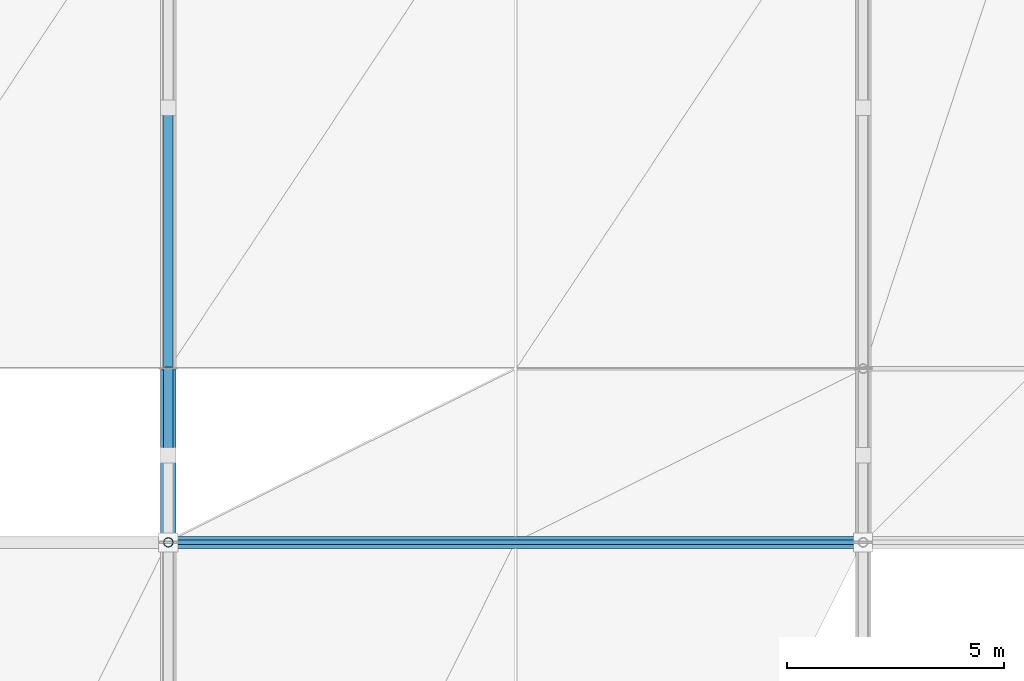
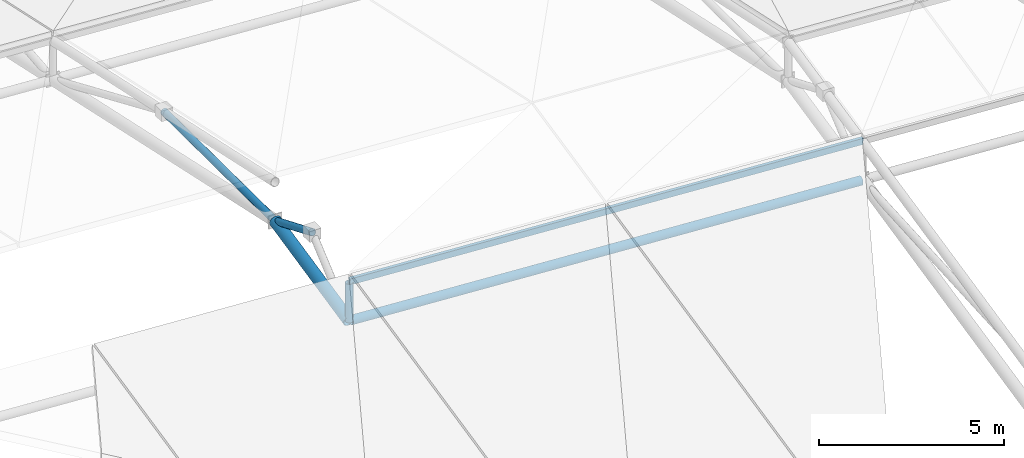
# One storey, part 29 of 67: 4 members, 2 beams.
"""IFC4 building model written with IfcOpenShell, lengths in metres."""

import ifcopenshell
import ifcopenshell.guid

model = None  # the IFC model being written
_history = None  # IfcOwnerHistory: only IFC2X3 demands one
_inside = {}  # id of a spatial element -> (the spatial element, [elements in it])
_under = {}  # id of a project, library or spatial element -> (it, [spatial elements below it])
_declared = {}  # id of a project -> (the project, [libraries it declares])
_typed = {}  # id of a type object -> (the type object, [elements of that type])
_made_of = {}  # id of a material, layer set ... -> (it, [elements and type objects made of it])


def new_model(schema):
    """Start an empty IFC model of exactly this schema.

    Asked for "IFC4X3", IfcOpenShell would pick the latest addendum, in which some entities
    have other attributes; the version numbers below select the first issue.
    IFC2X3 requires an IfcOwnerHistory on every rooted entity: one is made here for all.
    """
    global model, _history
    if schema == "IFC4X3":
        model = ifcopenshell.file(schema_version=(4, 3, 0, 0))
    else:
        model = ifcopenshell.file(schema=schema)
    _inside.clear()
    _under.clear()
    _declared.clear()
    _typed.clear()
    _made_of.clear()
    _history = None
    if model.schema == "IFC2X3":
        org = make("IfcOrganization", Name="unknown")
        user = make(
            "IfcPersonAndOrganization",
            ThePerson=make("IfcPerson", FamilyName="unknown"),
            TheOrganization=org,
        )
        app = make(
            "IfcApplication",
            ApplicationDeveloper=org,
            Version="unknown",
            ApplicationFullName="unknown",
            ApplicationIdentifier="unknown",
        )
        _history = make(
            "IfcOwnerHistory",
            OwningUser=user,
            OwningApplication=app,
            ChangeAction="ADDED",
            CreationDate=0,
        )
    return model


def make(cls, **values):
    """One entity of the class cls with the attributes given. An attribute that is None is left unset."""
    return model.create_entity(
        cls, **{name: value for name, value in values.items() if value is not None}
    )


def rooted(cls, **values):
    """An entity with a GlobalId (a new one), such as an element, a storey or a relation."""
    return make(cls, GlobalId=ifcopenshell.guid.new(), OwnerHistory=_history, **values)


def si_unit(unit_type, name, prefix=None):
    """IfcSIUnit, for example si_unit("LENGTHUNIT", "METRE", prefix="MILLI")."""
    return make("IfcSIUnit", UnitType=unit_type, Prefix=prefix, Name=name)


def assignment(units):
    """IfcUnitAssignment: the units of a project."""
    return None if units is None else make("IfcUnitAssignment", Units=units)


def point(xyz):
    """IfcCartesianPoint."""
    return None if xyz is None else make("IfcCartesianPoint", Coordinates=xyz)


def direction(xyz):
    """IfcDirection."""
    return None if xyz is None else make("IfcDirection", DirectionRatios=xyz)


def frame(location, z_axis=None, x_axis=None):
    """IfcAxis2Placement3D, a coordinate frame: its origin and axes. An axis left out is left unset."""
    return make(
        "IfcAxis2Placement3D",
        Location=point(location),
        Axis=direction(z_axis),
        RefDirection=direction(x_axis),
    )


def frame_2d(location, x_axis=None):
    """IfcAxis2Placement2D, a coordinate frame in the plane: its origin and x axis."""
    return make(
        "IfcAxis2Placement2D", Location=point(location), RefDirection=direction(x_axis)
    )


def origin():
    """The frame at (0, 0, 0) with its axes left unset."""
    return frame((0.0, 0.0, 0.0))


def origin_2d():
    """The frame at (0, 0) in the plane with its x axis left unset."""
    return frame_2d((0.0, 0.0))


def place(relative_to, where):
    """IfcLocalPlacement: puts the frame where relative to a parent placement (None: the world)."""
    return make(
        "IfcLocalPlacement", PlacementRelTo=relative_to, RelativePlacement=where
    )


def context(
    kind, dimensions, precision=None, world=None, true_north=None, identifier=None
):
    """IfcGeometricRepresentationContext, for example the 3D "Model" context."""
    return make(
        "IfcGeometricRepresentationContext",
        ContextIdentifier=identifier,
        ContextType=kind,
        CoordinateSpaceDimension=dimensions,
        Precision=precision,
        WorldCoordinateSystem=world,
        TrueNorth=true_north,
    )


def subcontext(parent, identifier, kind, view, scale=None):
    """IfcGeometricRepresentationSubContext, for example "Body" below "Model"."""
    return make(
        "IfcGeometricRepresentationSubContext",
        ContextIdentifier=identifier,
        ContextType=kind,
        ParentContext=parent,
        TargetScale=scale,
        TargetView=view,
    )


def project(units=None, contexts=None):
    """IfcProject with its units and contexts."""
    return rooted(
        "IfcProject",
        Name="project",
        RepresentationContexts=contexts,
        UnitsInContext=assignment(units),
    )


def spatial(cls, under=None, at=None, **own):
    """A site, building, storey or space (cls), placed at a placement, below another one or the project."""
    s = rooted(cls, ObjectPlacement=at, **own)
    if under is not None:
        _under.setdefault(under.id(), (under, []))[1].append(s)
    return s


def profile(cls, at=None, kind="AREA", **sizes):
    """A parametric profile (cls). Its sizes go by their IFC names, for example OverallWidth=200.0."""
    return make(cls, ProfileType=kind, Position=at, **sizes)


def hollow_rectangle(**sizes):
    """IfcRectangleHollowProfileDef."""
    return profile("IfcRectangleHollowProfileDef", **sizes)


def hollow_circle(**sizes):
    """IfcCircleHollowProfileDef."""
    return profile("IfcCircleHollowProfileDef", **sizes)


def extrude(swept, where, along, depth):
    """IfcExtrudedAreaSolid: the profile swept, set in the frame where, extruded along a direction by depth."""
    return make(
        "IfcExtrudedAreaSolid",
        SweptArea=swept,
        Position=where,
        ExtrudedDirection=direction(along),
        Depth=depth,
    )


def shape(context_of_items, identifier, shape_type, items):
    """IfcShapeRepresentation: the items that make up one representation, for example the "Body"."""
    return make(
        "IfcShapeRepresentation",
        ContextOfItems=context_of_items,
        RepresentationIdentifier=identifier,
        RepresentationType=shape_type,
        Items=items,
    )


def material(Name=None, Category=None):
    """IfcMaterial."""
    return make("IfcMaterial", Name=Name, Category=Category)


def material_profile(
    of_material, cross_section, Name=None, Category=None, Priority=None
):
    """IfcMaterialProfile: a cross section and its material."""
    return make(
        "IfcMaterialProfile",
        Name=Name,
        Material=of_material,
        Profile=cross_section,
        Priority=Priority,
        Category=Category,
    )


def profile_set(profiles, Name=None, composite=None):
    """IfcMaterialProfileSet."""
    return make(
        "IfcMaterialProfileSet",
        Name=Name,
        MaterialProfiles=profiles,
        CompositeProfile=composite,
    )


def made_of(thing, what):
    """Note that an element or type object is made of a material, layer set ...; save() writes the relation."""
    if what is not None:
        _made_of.setdefault(what.id(), (what, []))[1].append(thing)
    return thing


def type_object(cls, material=None, **own):
    """A type object (cls), such as IfcWallType, which elements share."""
    return made_of(rooted(cls, **own), material)


def element(
    cls,
    number,
    at=None,
    inside=None,
    cuts=None,
    type_object=None,
    material=None,
    context=None,
    identifier="Body",
    shape_type=None,
    held_by="IfcProductDefinitionShape",
    body=None,
    shapes=None,
    **own,
):
    """One element of the class cls, such as IfcWall. Its Tag is "e" and its number.

    at: its placement. inside: the storey or other place that contains it. cuts: it is an
    opening in that element (IfcRelVoidsElement). A single representation is given by context,
    identifier, shape_type and body (its items); several are given by shapes. held_by: the class
    of the entity that holds the representations. save() writes the other relations.
    """
    e = rooted(cls, Tag="e%d" % number, ObjectPlacement=at, **own)
    if body is not None:
        shapes = [shape(context, identifier, shape_type, body)]
    if shapes is not None:
        e.Representation = make(held_by, Representations=shapes)
    if inside is not None:
        _inside.setdefault(inside.id(), (inside, []))[1].append(e)
    if cuts is not None:
        rooted(
            "IfcRelVoidsElement", RelatingBuildingElement=cuts, RelatedOpeningElement=e
        )
    if type_object is not None:
        _typed.setdefault(type_object.id(), (type_object, []))[1].append(e)
    return made_of(e, material)


def aggregate(whole, parts):
    """IfcRelAggregates: a whole, such as a stair, and the parts it consists of."""
    return rooted("IfcRelAggregates", RelatingObject=whole, RelatedObjects=parts)


def save(model, path):
    """Write the relations noted so far, then the file.

    IfcRelAggregates (storeys below a building ...), IfcRelContainedInSpatialStructure (elements
    in a storey), IfcRelDefinesByType, IfcRelAssociatesMaterial and IfcRelDeclares: one each for
    every whole, place, type object, material and project.
    """
    for whole, parts in _under.values():
        aggregate(whole, parts)
    for where, things in _inside.values():
        rooted(
            "IfcRelContainedInSpatialStructure",
            RelatedElements=things,
            RelatingStructure=where,
        )
    for kind, things in _typed.values():
        rooted("IfcRelDefinesByType", RelatedObjects=things, RelatingType=kind)
    for what, things in _made_of.values():
        rooted("IfcRelAssociatesMaterial", RelatedObjects=things, RelatingMaterial=what)
    for by, libraries in _declared.values():
        rooted("IfcRelDeclares", RelatingContext=by, RelatedDefinitions=libraries)
    model.write(path)


model = new_model("IFC4")

# Units and contexts
model_context = context("Model", 3, precision=1e-05, world=origin(), true_north=direction((0.0, 1.0)))
body_context = subcontext(model_context, "Body", "Model", "MODEL_VIEW")
ifc_project = project(units=[si_unit("LENGTHUNIT", "METRE"), si_unit("AREAUNIT", "SQUARE_METRE"), si_unit("VOLUMEUNIT", "CUBIC_METRE"), si_unit("PLANEANGLEUNIT", "RADIAN"), si_unit("MASSUNIT", "GRAM", prefix="KILO")], contexts=[model_context])

# Site, building, storey
site_placement = place(None, origin())
site = spatial("IfcSite", under=ifc_project, at=site_placement, CompositionType="ELEMENT")
building_placement = place(site_placement, origin())
building = spatial("IfcBuilding", under=site, at=building_placement, Name="Drelvath Fold Interchange", CompositionType="ELEMENT")
storey_placement = place(building_placement, frame((0.0, 0.0, 15.60009765625)))
storey = spatial("IfcBuildingStorey", under=building, at=storey_placement, Name="L03", CompositionType="ELEMENT", Elevation=15.60009765625)

# Member
ifc_material = material(Name="Steel ASTM A500 Grade C", Category="steel")
ifc_material_profile_1 = material_profile(ifc_material, hollow_rectangle(XDim=0.10205078125, YDim=0.202880859375, WallThickness=0.00732421875, at=origin_2d()), Name="HSS8X4X5/16")
ifc_profile_set_1 = profile_set([ifc_material_profile_1], Name="Steel ASTM A500 Grade C")
member_type_1 = type_object("IfcMemberType", Name="PR-HSS203", PredefinedType="PURLIN", material=ifc_profile_set_1)
member_1_placement = place(storey_placement, frame((150.0, 43.0, 4.001953125), z_axis=(0.998196786761, 0.0, -0.06002645167), x_axis=(0.0, 1.0, 0.0)))
element("IfcMember", 1, at=member_1_placement, inside=storey, type_object=member_type_1, Name="L03 Space frame canopy purlin PR-HSS203", PredefinedType="PURLIN", context=body_context, shape_type="SweptSolid", body=[
    extrude(hollow_rectangle(XDim=0.10205078125, YDim=0.202880859375, WallThickness=0.00732421875, at=origin_2d()), origin(), (0.0, 0.0, 1.0), 16.02880859375),
])

# Beams
ifc_material_profile_2 = material_profile(ifc_material, hollow_circle(Radius=0.177978515625, WallThickness=0.01171875, at=origin_2d()), Name="HSS14.000X0.500")
ifc_profile_set_2 = profile_set([ifc_material_profile_2], Name="Steel ASTM A500 Grade C")
beam_type_1 = type_object("IfcBeamType", Name="SF-RIB356", PredefinedType="BEAM", material=ifc_profile_set_2)
beam_1_placement = place(storey_placement, frame((150.0, 43.0, 2.699951171875), z_axis=(0.0, 0.97704917023, 0.213013893803), x_axis=(-1.0, 0.0, 0.0)))
element("IfcBeam", 2, at=beam_1_placement, inside=storey, type_object=beam_type_1, Name="Space frame roof truss main rib chord EAST", PredefinedType="BEAM", context=body_context, shape_type="SweptSolid", body=[
    extrude(hollow_circle(Radius=0.177978515625, WallThickness=0.01171875, at=origin_2d()), origin(), (0.0, 0.0, 1.0), 4.093994140625),
])
ifc_material_profile_3 = material_profile(ifc_material, hollow_circle(Radius=0.136474609375, WallThickness=0.01171875, at=origin_2d()), Name="HSS10.750X0.500")
ifc_profile_set_3 = profile_set([ifc_material_profile_3], Name="Steel ASTM A500 Grade C")
beam_type_2 = type_object("IfcBeamType", Name="SF-TIE273", PredefinedType="BEAM", material=ifc_profile_set_3)
beam_2_placement = place(storey_placement, frame((150.050048828125, 43.0, 2.699951171875), z_axis=(0.998174073419, 0.0, -0.060402973058), x_axis=(0.0, 1.0, 0.0)))
element("IfcBeam", 3, at=beam_2_placement, inside=storey, type_object=beam_type_2, Name="Space frame roof truss longitudinal tie EAST", PredefinedType="BEAM", context=body_context, shape_type="SweptSolid", body=[
    extrude(hollow_circle(Radius=0.136474609375, WallThickness=0.01171875, at=origin_2d()), origin(), (0.0, 0.0, 1.0), 15.928955078125),
])

# Members
ifc_material_profile_4 = material_profile(ifc_material, hollow_circle(Radius=0.109619140625, WallThickness=0.0087890625, at=origin_2d()), Name="HSS8.625X0.375")
ifc_profile_set_4 = profile_set([ifc_material_profile_4], Name="Steel ASTM A500 Grade C")
member_type_2 = type_object("IfcMemberType", Name="SF-WEB219", PredefinedType="BRACE", material=ifc_profile_set_4)
member_2_placement = place(storey_placement, frame((150.0, 45.0, 4.406005859375), z_axis=(0.0, 0.922970220346, -0.38487137118), x_axis=(-1.0, 0.0, 0.0)))
element("IfcMember", 4, at=member_2_placement, inside=storey, type_object=member_type_2, Name="L03 Space frame roof truss web brace SF-WEB219", PredefinedType="BRACE", context=body_context, shape_type="SweptSolid", body=[
    extrude(hollow_circle(Radius=0.109619140625, WallThickness=0.0087890625, at=origin_2d()), origin(), (0.0, 0.0, 1.0), 2.1669921875),
])
member_3_placement = place(storey_placement, frame((150.0, 47.0, 3.572021484375), z_axis=(0.0, 0.999979854239, -0.006347528372), x_axis=(-1.0, 0.0, 0.0)))
element("IfcMember", 5, at=member_3_placement, inside=storey, type_object=member_type_2, Name="L03 Space frame roof truss web brace SF-WEB219", PredefinedType="BRACE", context=body_context, shape_type="SweptSolid", body=[
    extrude(hollow_circle(Radius=0.109619140625, WallThickness=0.0087890625, at=origin_2d()), origin(), (0.0, 0.0, 1.0), 6.0),
])
member_4_placement = place(storey_placement, frame((150.0, 43.0, 2.699951171875), z_axis=(0.0, 0.0, 1.0), x_axis=(1.0, 0.0, 0.0)))
element("IfcMember", 6, at=member_4_placement, inside=storey, type_object=member_type_2, Name="L03 Space frame roof truss web brace SF-WEB219", PredefinedType="BRACE", context=body_context, shape_type="SweptSolid", body=[
    extrude(hollow_circle(Radius=0.109619140625, WallThickness=0.0087890625, at=origin_2d()), origin(), (0.0, 0.0, 1.0), 1.27001953125),
])

save(model, "model.ifc")
